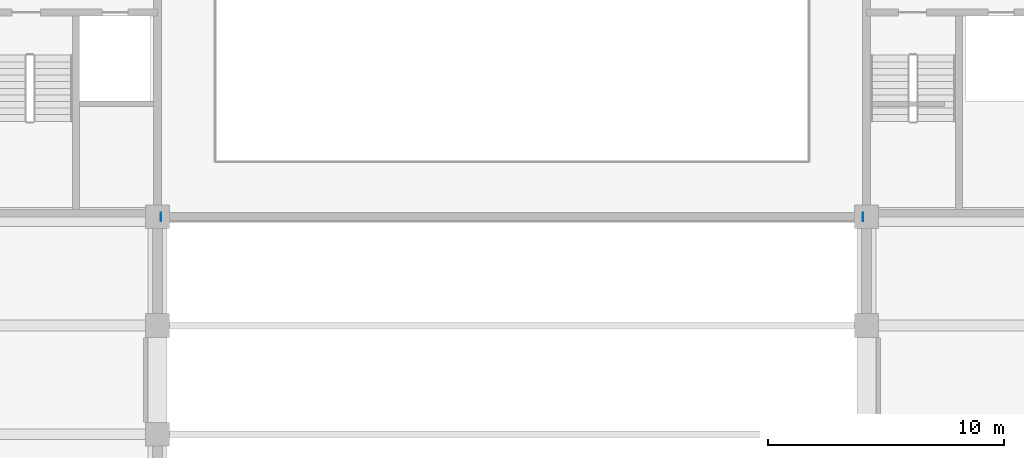
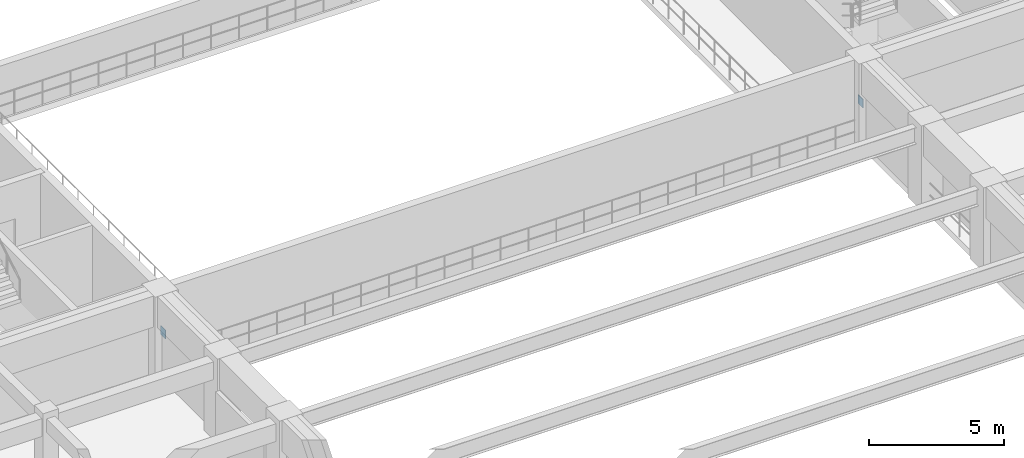
# One storey, part 54 of 74: 2 plates.
"""IFC4 building model written with IfcOpenShell, lengths in metres."""

from ifc_helpers import new_model, si_unit, direction, frame, origin, origin_2d, place, context, subcontext, project, spatial, rectangle, extrude, material, layer, layer_set, type_object, element, save


model = new_model("IFC4")

# Units and contexts
model_context = context("Model", 3, precision=1e-05, world=origin(), true_north=direction((0.0, 1.0)))
body_context = subcontext(model_context, "Body", "Model", "MODEL_VIEW")
ifc_project = project(units=[si_unit("LENGTHUNIT", "METRE"), si_unit("AREAUNIT", "SQUARE_METRE"), si_unit("VOLUMEUNIT", "CUBIC_METRE"), si_unit("PLANEANGLEUNIT", "RADIAN"), si_unit("MASSUNIT", "GRAM", prefix="KILO")], contexts=[model_context])

# Site, building, storey
site_placement = place(None, origin())
site = spatial("IfcSite", under=ifc_project, at=site_placement, CompositionType="ELEMENT")
building_placement = place(site_placement, origin())
building = spatial("IfcBuilding", under=site, at=building_placement, Name="Muzn Square Opera House", CompositionType="ELEMENT")
storey_placement = place(building_placement, frame((0.0, 0.0, 14.199951171875)))
storey = spatial("IfcBuildingStorey", under=building, at=storey_placement, Name="L03", CompositionType="ELEMENT", Elevation=14.199951171875)

# Plates
ifc_material = material(Name="Steel S355", Category="steel")
ifc_layer = layer(ifc_material, 0.02392578125, Name="Steel S355", Category="steel")
ifc_layer_set = layer_set([ifc_layer], Name="Steel S355")
plate_type = type_object("IfcPlateType", Name="Proscenium End Plate 24mm 360x400", PredefinedType="USERDEFINED", material=ifc_layer_set)
for number, where, z_axis, x_axis, name in (
    (1, (73.139892578125, 72.60009765625, 1.5), (0.0, 0.0, 1.0), (1.0, 0.0, 0.0), "Proscenium Chord End Plate PRCH-01-W"),
    (2, (102.860107421875, 72.60009765625, 1.5), (0.0, 0.0, 1.0), (1.0, 0.0, 0.0), "Proscenium Chord End Plate PRCH-01-E"),
):
    element("IfcPlate", number, at=place(storey_placement, frame(where, z_axis=z_axis, x_axis=x_axis)), inside=storey, type_object=plate_type, Name=name, ObjectType="GUSSET PLATE", PredefinedType="USERDEFINED", context=body_context, shape_type="SweptSolid", body=[
        extrude(rectangle(XDim=0.02392578125, YDim=0.360107421875, at=origin_2d()), origin(), (0.0, 0.0, 1.0), 0.39990234375),
    ])

save(model, "model.ifc")
